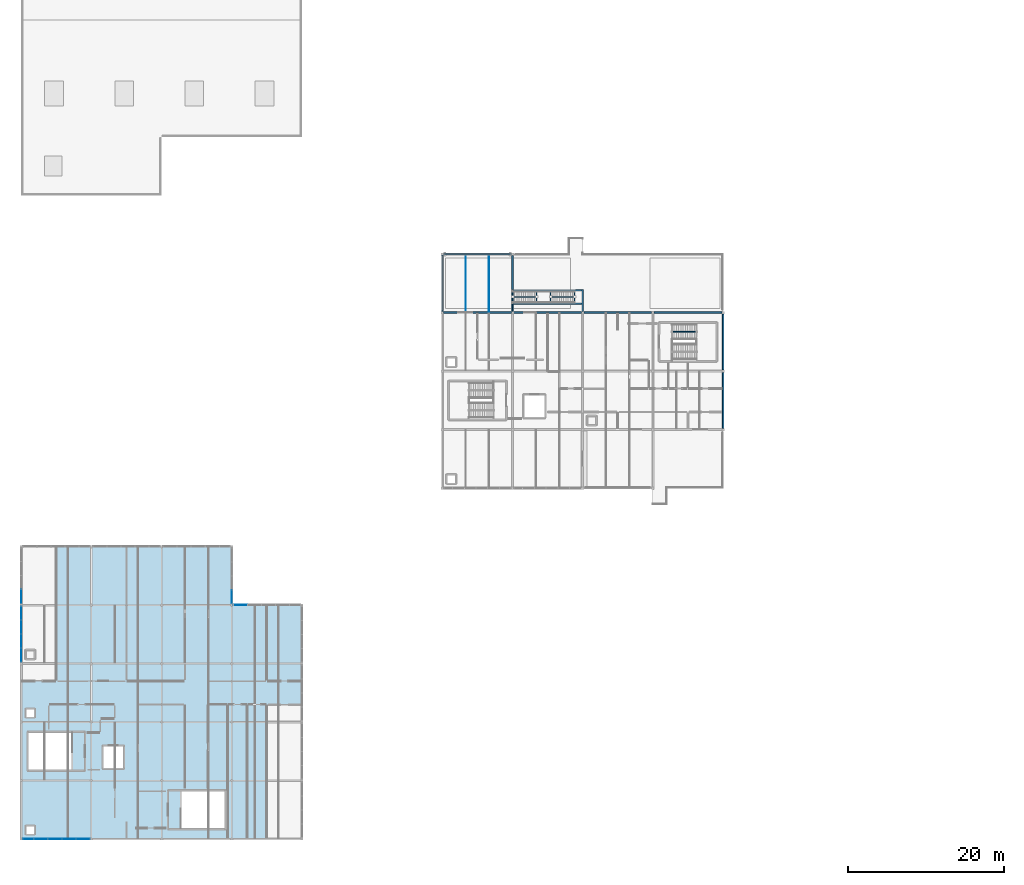
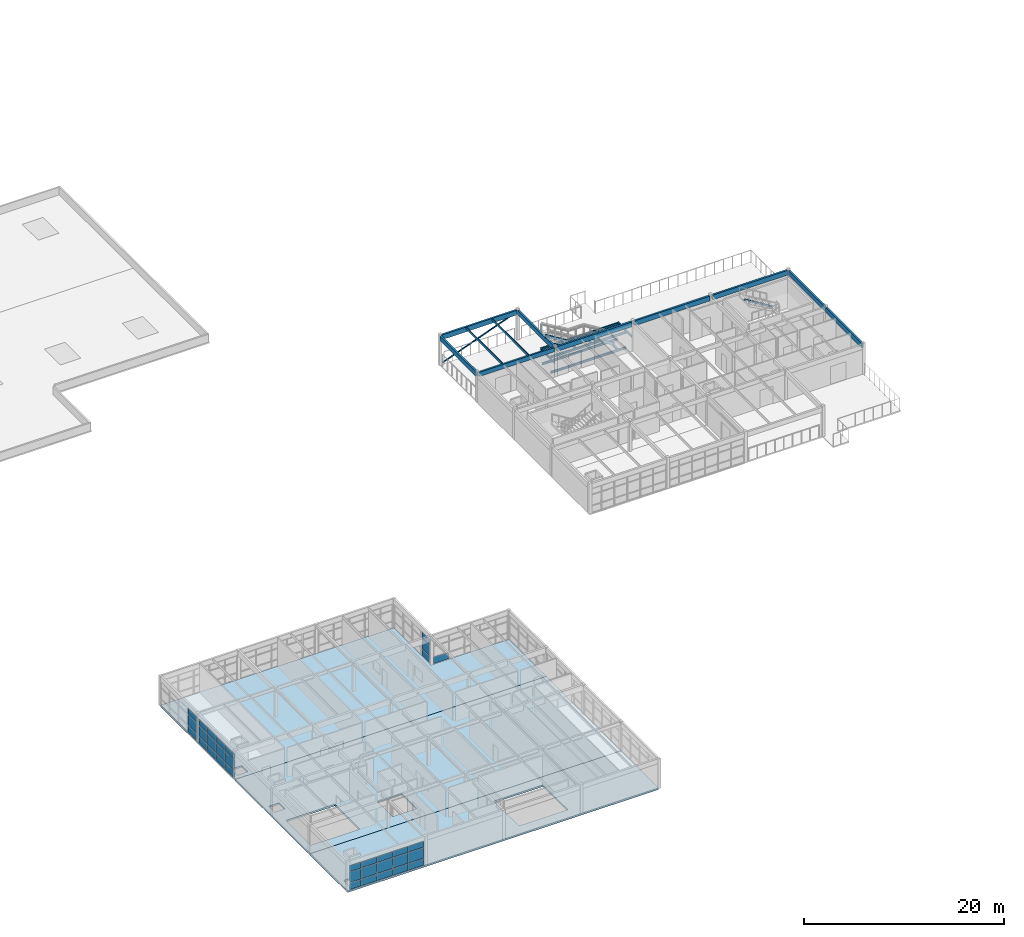
# One storey, part 11 of 24: 34 plates, 20 beams, 4 members, 3 slabs, 5 elements without a shape of their own.
"""IFC4 building model written with IfcOpenShell, lengths in metres."""

from ifc_helpers import new_model, si_unit, direction, frame, origin, origin_2d, place, context, subcontext, project, spatial, polyline, rectangle, hollow_rectangle, hollow_circle, i_section, outline, extrude, material, layer, layer_set, material_profile, profile_set, type_object, element, aggregate, save


model = new_model("IFC4")

# Units and contexts
model_context = context("Model", 3, precision=1e-05, world=origin(), true_north=direction((0.0, 1.0)))
body_context = subcontext(model_context, "Body", "Model", "MODEL_VIEW")
ifc_project = project(units=[si_unit("LENGTHUNIT", "METRE"), si_unit("AREAUNIT", "SQUARE_METRE"), si_unit("VOLUMEUNIT", "CUBIC_METRE"), si_unit("PLANEANGLEUNIT", "RADIAN"), si_unit("MASSUNIT", "GRAM", prefix="KILO")], contexts=[model_context])

# Site, building, storey
site_placement = place(None, origin())
site = spatial("IfcSite", under=ifc_project, at=site_placement, CompositionType="ELEMENT")
building_placement = place(site_placement, origin())
building = spatial("IfcBuilding", under=site, at=building_placement, Name="Marnridge Secondary College", CompositionType="ELEMENT")
storey_placement = place(building_placement, frame((0.0, 0.0, 16.10009765625)))
storey = spatial("IfcBuildingStorey", under=building, at=storey_placement, Name="L04", CompositionType="ELEMENT", Elevation=16.10009765625)

# Beams
ifc_material_1 = material(Name="Glulam timber GL18", Category="wood")
ifc_material_profile_1 = material_profile(ifc_material_1, rectangle(XDim=0.195068359375, YDim=0.52001953125, at=origin_2d()), Name="GL18 195x520")
ifc_profile_set_1 = profile_set([ifc_material_profile_1], Name="Glulam timber GL18")
beam_type_1 = type_object("IfcBeamType", Name="BM-GL520-INT", PredefinedType="BEAM", material=ifc_profile_set_1)
beam_1_placement = place(storey_placement, frame((54.151611328125, 67.5, 3.349853515625), z_axis=(1.0, 0.0, 0.0), x_axis=(0.0, 1.0, 0.0)))
element("IfcBeam", 1, at=beam_1_placement, inside=storey, type_object=beam_type_1, Name="Beam B-L04-1193", PredefinedType="BEAM", context=body_context, shape_type="SweptSolid", body=[
    extrude(rectangle(XDim=0.195068359375, YDim=0.52001953125, at=origin_2d()), origin(), (0.0, 0.0, 1.0), 8.69677734375),
])
ifc_material_2 = material(Name="Glulam timber GL18", Category="wood")
ifc_material_profile_2 = material_profile(ifc_material_2, rectangle(XDim=0.215087890625, YDim=0.5849609375, at=origin_2d()), Name="GL18 215x585")
ifc_profile_set_2 = profile_set([ifc_material_profile_2], Name="Glulam timber GL18")
beam_type_2 = type_object("IfcBeamType", Name="BM-GL585-EXT", PredefinedType="SPANDREL", material=ifc_profile_set_2)
for number, where, z_axis, x_axis, name in (
    (2, (63.151611328125, 67.5, 3.3173828125), (1.0, 0.0, 0.0), (0.0, 1.0, 0.0), "Beam BS-L04-1199"),
    (3, (72.151611328125, 67.5, 3.3173828125), (1.0, 0.0, 0.0), (0.0, 1.0, 0.0), "Beam BS-L04-1204"),
):
    element("IfcBeam", number, at=place(storey_placement, frame(where, z_axis=z_axis, x_axis=x_axis)), inside=storey, type_object=beam_type_2, Name=name, PredefinedType="SPANDREL", context=body_context, shape_type="SweptSolid", body=[
        extrude(rectangle(XDim=0.215087890625, YDim=0.5849609375, at=origin_2d()), origin(), (0.0, 0.0, 1.0), 8.69677734375),
    ])
beam_2_placement = place(storey_placement, frame((90.0, 52.651611328125, 3.3173828125), z_axis=(0.0, 1.0, 0.0), x_axis=(-1.0, 0.0, 0.0)))
element("IfcBeam", 4, at=beam_2_placement, inside=storey, type_object=beam_type_2, Name="Beam BS-L04-1208", PredefinedType="SPANDREL", context=body_context, shape_type="SweptSolid", body=[
    extrude(rectangle(XDim=0.215087890625, YDim=0.5849609375, at=origin_2d()), origin(), (0.0, 0.0, 1.0), 7.19677734375),
])
beam_3_placement = place(storey_placement, frame((81.151611328125, 67.5, 3.3173828125), z_axis=(1.0, 0.0, 0.0), x_axis=(0.0, 1.0, 0.0)))
element("IfcBeam", 5, at=beam_3_placement, inside=storey, type_object=beam_type_2, Name="Beam BS-L04-1209", PredefinedType="SPANDREL", context=body_context, shape_type="SweptSolid", body=[
    extrude(rectangle(XDim=0.215087890625, YDim=0.5849609375, at=origin_2d()), origin(), (0.0, 0.0, 1.0), 8.69677734375),
])
beam_4_placement = place(storey_placement, frame((90.0, 60.151611328125, 3.3173828125), z_axis=(0.0, 1.0, 0.0), x_axis=(-1.0, 0.0, 0.0)))
element("IfcBeam", 6, at=beam_4_placement, inside=storey, type_object=beam_type_2, Name="Beam BS-L04-1210", PredefinedType="SPANDREL", context=body_context, shape_type="SweptSolid", body=[
    extrude(rectangle(XDim=0.215087890625, YDim=0.5849609375, at=origin_2d()), origin(), (0.0, 0.0, 1.0), 7.19677734375),
])
beam_5_placement = place(storey_placement, frame((54.151611328125, 75.0, 3.347412109375), z_axis=(1.0, 0.0, 0.0), x_axis=(0.0, 1.0, 0.0)))
element("IfcBeam", 7, at=beam_5_placement, inside=storey, type_object=beam_type_2, Name="Beam BS-L04-1218", PredefinedType="SPANDREL", context=body_context, shape_type="SweptSolid", body=[
    extrude(rectangle(XDim=0.215087890625, YDim=0.5849609375, at=origin_2d()), origin(), (0.0, 0.0, 1.0), 8.69677734375),
])
for number, where, z_axis, x_axis, name in (
    (8, (54.0, 67.651611328125, 3.347412109375), (0.0, 1.0, 0.0), (-1.0, 0.0, 0.0), "Beam BS-L04-1219"),
    (9, (63.0, 67.651611328125, 3.347412109375), (0.0, 1.0, 0.0), (-1.0, 0.0, 0.0), "Beam BS-L04-1220"),
):
    element("IfcBeam", number, at=place(storey_placement, frame(where, z_axis=z_axis, x_axis=x_axis)), inside=storey, type_object=beam_type_2, Name=name, PredefinedType="SPANDREL", context=body_context, shape_type="SweptSolid", body=[
        extrude(rectangle(XDim=0.215087890625, YDim=0.5849609375, at=origin_2d()), origin(), (0.0, 0.0, 1.0), 7.19677734375),
    ])
ifc_material_3 = material(Name="Engineered timber LVL E13.2", Category="wood")
ifc_material_profile_3 = material_profile(ifc_material_3, rectangle(XDim=0.06298828125, YDim=0.300048828125, at=origin_2d()), Name="LVL 63x300")
ifc_profile_set_3 = profile_set([ifc_material_profile_3], Name="Engineered timber LVL E13.2")
beam_type_3 = type_object("IfcBeamType", Name="BM-LVL300-INT", PredefinedType="JOIST", material=ifc_profile_set_3)
for number, where, z_axis, x_axis, name in (
    (10, (57.0, 67.591552734375, 3.489990234375), (0.0, 1.0, 0.0), (-1.0, 0.0, 0.0), "Beam BJ-L04-1238"),
    (11, (60.0, 67.591552734375, 3.489990234375), (0.0, 1.0, 0.0), (-1.0, 0.0, 0.0), "Beam BJ-L04-1239"),
):
    element("IfcBeam", number, at=place(storey_placement, frame(where, z_axis=z_axis, x_axis=x_axis)), inside=storey, type_object=beam_type_3, Name=name, PredefinedType="JOIST", context=body_context, shape_type="SweptSolid", body=[
        extrude(rectangle(XDim=0.06298828125, YDim=0.300048828125, at=origin_2d()), origin(), (0.0, 0.0, 1.0), 7.306884765625),
    ])
ifc_material_4 = material(Name="Structural steel Grade 350 (AS/NZS 3679.1/.2, fy = 340-360 MPa)", Category="steel")
ifc_material_profile_4 = material_profile(ifc_material_4, i_section(OverallWidth=0.146240234375, OverallDepth=0.256103515625, WebThickness=0.00634765625, FlangeThickness=0.010986328125, FilletRadius=0.0087890625, at=origin_2d()), Name="250UB37.3")
ifc_profile_set_4 = profile_set([ifc_material_profile_4], Name="Structural steel Grade 350 (AS/NZS 3679.1/.2, fy = 340-360 MPa)")
beam_type_4 = type_object("IfcBeamType", Name="BM-UB250-EXT", PredefinedType="LINTEL", material=ifc_profile_set_4)
for number, where, z_axis, x_axis, name in (
    (12, (63.0, 67.656982421875, 1.591796875), (0.0, 1.0, 0.0), (-1.0, 0.0, 0.0), "Exterior stair outrigger bracket BZ-L04-093"),
    (13, (72.0, 67.656982421875, 1.591796875), (0.0, 1.0, 0.0), (-1.0, 0.0, 0.0), "Exterior stair outrigger bracket BZ-L04-094"),
):
    element("IfcBeam", number, at=place(storey_placement, frame(where, z_axis=z_axis, x_axis=x_axis)), inside=storey, type_object=beam_type_4, Name=name, PredefinedType="LINTEL", context=body_context, shape_type="SweptSolid", body=[
        extrude(i_section(OverallWidth=0.146240234375, OverallDepth=0.256103515625, WebThickness=0.00634765625, FlangeThickness=0.010986328125, FilletRadius=0.0087890625, at=origin_2d()), origin(), (0.0, 0.0, 1.0), 2.79296875),
    ])
for number, where, z_axis, x_axis, name in (
    (14, (63.072509765625, 68.639892578125, 1.591796875), (1.0, 0.0, 0.0), (0.0, 1.0, 0.0), "Exterior stair landing beam BZ-L04-095"),
    (15, (63.072509765625, 70.360107421875, 1.591796875), (1.0, 0.0, 0.0), (0.0, 1.0, 0.0), "Exterior stair landing beam BZ-L04-096"),
):
    element("IfcBeam", number, at=place(storey_placement, frame(where, z_axis=z_axis, x_axis=x_axis)), inside=storey, type_object=beam_type_4, Name=name, PredefinedType="LINTEL", context=body_context, shape_type="SweptSolid", body=[
        extrude(i_section(OverallWidth=0.146240234375, OverallDepth=0.256103515625, WebThickness=0.00634765625, FlangeThickness=0.010986328125, FilletRadius=0.0087890625, at=origin_2d()), origin(), (0.0, 0.0, 1.0), 8.85498046875),
    ])
for number, where, z_axis, x_axis, name in (
    (16, (67.8798828125, 68.71240234375, 1.591796875), (0.0, 1.0, 0.0), (-1.0, 0.0, 0.0), "Exterior stair flight end trimmer BZ-L04-097"),
    (17, (66.080078125, 68.71240234375, 1.591796875), (0.0, 1.0, 0.0), (-1.0, 0.0, 0.0), "Exterior stair flight end trimmer BZ-L04-098"),
):
    element("IfcBeam", number, at=place(storey_placement, frame(where, z_axis=z_axis, x_axis=x_axis)), inside=storey, type_object=beam_type_4, Name=name, PredefinedType="LINTEL", context=body_context, shape_type="SweptSolid", body=[
        extrude(i_section(OverallWidth=0.146240234375, OverallDepth=0.256103515625, WebThickness=0.00634765625, FlangeThickness=0.010986328125, FilletRadius=0.0087890625, at=origin_2d()), origin(), (0.0, 0.0, 1.0), 1.5751953125),
    ])
for number, where, z_axis, x_axis, name in (
    (18, (63.119384765625, 68.639892578125, -0.2880859375), (1.0, 0.0, 0.0), (0.0, 1.0, 0.0), "Exterior stair landing beam BZ-L04-099"),
    (19, (63.119384765625, 70.360107421875, -0.2880859375), (1.0, 0.0, 0.0), (0.0, 1.0, 0.0), "Exterior stair landing beam BZ-L04-100"),
):
    element("IfcBeam", number, at=place(storey_placement, frame(where, z_axis=z_axis, x_axis=x_axis)), inside=storey, type_object=beam_type_4, Name=name, PredefinedType="LINTEL", context=body_context, shape_type="SweptSolid", body=[
        extrude(i_section(OverallWidth=0.146240234375, OverallDepth=0.256103515625, WebThickness=0.00634765625, FlangeThickness=0.010986328125, FilletRadius=0.0087890625, at=origin_2d()), origin(), (0.0, 0.0, 1.0), 8.76123046875),
    ])
beam_6_placement = place(storey_placement, frame((70.9599609375, 68.71240234375, -0.2880859375), z_axis=(0.0, 1.0, 0.0), x_axis=(-1.0, 0.0, 0.0)))
element("IfcBeam", 20, at=beam_6_placement, inside=storey, type_object=beam_type_4, Name="Exterior stair flight end trimmer BZ-L04-101", PredefinedType="LINTEL", context=body_context, shape_type="SweptSolid", body=[
    extrude(i_section(OverallWidth=0.146240234375, OverallDepth=0.256103515625, WebThickness=0.00634765625, FlangeThickness=0.010986328125, FilletRadius=0.0087890625, at=origin_2d()), origin(), (0.0, 0.0, 1.0), 1.5751953125),
])

# Members
ifc_material_5 = material(Name="Cold-formed steel Grade C350L0 (AS/NZS 1163, fy = 350 MPa)", Category="steel")
ifc_material_profile_5 = material_profile(ifc_material_5, hollow_circle(Radius=0.084228515625, WallThickness=0.00634765625, at=origin_2d()), Name="168.3x6.4CHS")
ifc_profile_set_5 = profile_set([ifc_material_profile_5], Name="Cold-formed steel Grade C350L0 (AS/NZS 1163, fy = 350 MPa)")
member_type_1 = type_object("IfcMemberType", Name="MB-BR-CHS168", PredefinedType="BRACE", material=ifc_profile_set_5)
member_1_placement = place(storey_placement, frame((54.280029296875, 75.0, 0.159912109375), z_axis=(0.936697873516, 0.0, 0.350138677884), x_axis=(0.0, 1.0, 0.0)))
element("IfcMember", 21, at=member_1_placement, inside=storey, type_object=member_type_1, Name="Lateral brace BR-010", PredefinedType="BRACE", context=body_context, shape_type="SweptSolid", body=[
    extrude(hollow_circle(Radius=0.084228515625, WallThickness=0.00634765625, at=origin_2d()), origin(), (0.0, 0.0, 1.0), 8.967529296875),
])
ifc_material_6 = material(Name="Cold-formed steel Grade C350L0 (AS/NZS 1163, fy = 350 MPa)", Category="steel")
ifc_material_profile_6 = material_profile(ifc_material_6, hollow_rectangle(XDim=0.10009765625, YDim=0.199951171875, WallThickness=0.006103515625, at=origin_2d()), Name="200x100x6.0RHS")
ifc_profile_set_6 = profile_set([ifc_material_profile_6], Name="Cold-formed steel Grade C350L0 (AS/NZS 1163, fy = 350 MPa)")
member_type_2 = type_object("IfcMemberType", Name="MB-STR-RHS200", PredefinedType="STRINGER", material=ifc_profile_set_6)
member_2_placement = place(storey_placement, frame((86.5849609375, 65.030029296875, 1.7919921875), z_axis=(-0.853999434635, 0.0, 0.520273933272), x_axis=(0.0, -1.0, 0.0)))
element("IfcMember", 22, at=member_2_placement, inside=storey, type_object=member_type_2, Name="Stair stringer STR-020", PredefinedType="STRINGER", context=body_context, shape_type="SweptSolid", body=[
    extrude(hollow_rectangle(XDim=0.10009765625, YDim=0.199951171875, WallThickness=0.006103515625, at=origin_2d()), origin(), (0.0, 0.0, 1.0), 3.6708984375),
])
ifc_material_7 = material(Name="Cold-formed steel Grade C350L0 (AS/NZS 1163, fy = 350 MPa)", Category="steel")
ifc_material_profile_7 = material_profile(ifc_material_7, hollow_rectangle(XDim=0.14990234375, YDim=0.300048828125, WallThickness=0.008056640625, at=origin_2d()), Name="300x150x8.0RHS")
ifc_profile_set_7 = profile_set([ifc_material_profile_7], Name="Cold-formed steel Grade C350L0 (AS/NZS 1163, fy = 350 MPa)")
member_type_3 = type_object("IfcMemberType", Name="MB-STR-RHS300", PredefinedType="STRINGER", material=ifc_profile_set_7)
member_3_placement = place(storey_placement, frame((70.9599609375, 69.5, -0.0400390625), z_axis=(-0.853576048954, 0.0, 0.520968260696), x_axis=(0.0, -1.0, 0.0)))
element("IfcMember", 23, at=member_3_placement, inside=storey, type_object=member_type_3, Name="Exterior stair stringer STR-067", PredefinedType="STRINGER", context=body_context, shape_type="SweptSolid", body=[
    extrude(hollow_rectangle(XDim=0.14990234375, YDim=0.300048828125, WallThickness=0.008056640625, at=origin_2d()), origin(), (0.0, 0.0, 1.0), 3.6083984375),
])
member_4_placement = place(storey_placement, frame((66.080078125, 69.5, 1.83984375), z_axis=(-0.848602372252, 0.0, 0.529031203057), x_axis=(0.0, -1.0, 0.0)))
element("IfcMember", 24, at=member_4_placement, inside=storey, type_object=member_type_3, Name="Exterior stair stringer STR-068", PredefinedType="STRINGER", context=body_context, shape_type="SweptSolid", body=[
    extrude(hollow_rectangle(XDim=0.14990234375, YDim=0.300048828125, WallThickness=0.008056640625, at=origin_2d()), origin(), (0.0, 0.0, 1.0), 3.629638671875),
])

# Curtain wall, plates
ifc_material_8 = material(Name="Bronze-anodised aluminium and solar-control glazing", Category="aluminium")
ifc_layer_1 = layer(ifc_material_8, 0.199951171875)
ifc_layer_set_1 = layer_set([ifc_layer_1], Name="CW-MOD-1800")
curtain_wall_type = type_object("IfcCurtainWallType", Name="CW-MOD-1800", PredefinedType="NOTDEFINED", material=ifc_layer_set_1)
curtain_wall_1_placement = place(storey_placement, origin())
curtain_wall_1 = element("IfcCurtainWall", 25, at=curtain_wall_1_placement, inside=storey, type_object=curtain_wall_type, Name="Unitised curtain wall CW-L04-143", PredefinedType="NOTDEFINED")
ifc_material_9 = material(Name="Acoustic laminated solar-control double glazing", Category="glass")
ifc_layer_2 = layer(ifc_material_9, 0.035888671875)
ifc_layer_set_2 = layer_set([ifc_layer_2], Name="CWP-GLZ36")
plate_type = type_object("IfcPlateType", Name="CWP-GLZ36", PredefinedType="CURTAIN_PANEL", material=ifc_layer_set_2)
plate_1_placement = place(storey_placement, frame((27.0, 31.050048828125, 0.06494140625), z_axis=(0.0, 0.0, 1.0), x_axis=(0.0, -1.0, 0.0)))
plate_1 = element("IfcPlate", 26, at=plate_1_placement, type_object=plate_type, Name="CW-L04-143 panel 4.1", PredefinedType="CURTAIN_PANEL", context=body_context, shape_type="SweptSolid", body=[
    extrude(rectangle(XDim=1.636962890625, YDim=0.035888671875, at=origin_2d()), origin(), (0.0, 0.0, 1.0), 0.802490234375),
])
plate_2_placement = place(storey_placement, frame((27.0, 31.050048828125, 0.9326171875), z_axis=(0.0, 0.0, 1.0), x_axis=(0.0, -1.0, 0.0)))
plate_2 = element("IfcPlate", 27, at=plate_2_placement, type_object=plate_type, Name="CW-L04-143 panel 4.2", PredefinedType="CURTAIN_PANEL", context=body_context, shape_type="SweptSolid", body=[
    extrude(rectangle(XDim=1.636962890625, YDim=0.035888671875, at=origin_2d()), origin(), (0.0, 0.0, 1.0), 1.284912109375),
])
plate_3_placement = place(storey_placement, frame((27.0, 31.050048828125, 2.282470703125), z_axis=(0.0, 0.0, 1.0), x_axis=(0.0, -1.0, 0.0)))
plate_3 = element("IfcPlate", 28, at=plate_3_placement, type_object=plate_type, Name="CW-L04-143 panel 4.3", PredefinedType="CURTAIN_PANEL", context=body_context, shape_type="SweptSolid", body=[
    extrude(rectangle(XDim=1.636962890625, YDim=0.035888671875, at=origin_2d()), origin(), (0.0, 0.0, 1.0), 0.70947265625),
])
aggregate(curtain_wall_1, [plate_1, plate_2, plate_3])

# Curtain wall, plate
curtain_wall_2_placement = place(storey_placement, origin())
curtain_wall_2 = element("IfcCurtainWall", 29, at=curtain_wall_2_placement, inside=storey, type_object=curtain_wall_type, Name="Unitised curtain wall CW-L04-144", PredefinedType="NOTDEFINED")
plate_4_placement = place(storey_placement, frame((28.096435546875, 30.0, 0.06494140625), z_axis=(0.0, 0.0, 1.0), x_axis=(1.0, 0.0, 0.0)))
plate_4 = element("IfcPlate", 30, at=plate_4_placement, type_object=plate_type, Name="CW-L04-144 panel 1.1", PredefinedType="CURTAIN_PANEL", context=body_context, shape_type="SweptSolid", body=[
    extrude(rectangle(XDim=1.72998046875, YDim=0.035888671875, at=origin_2d()), origin(), (0.0, 0.0, 1.0), 0.802490234375),
])
aggregate(curtain_wall_2, [plate_4])

# Curtain wall, plates
curtain_wall_3_placement = place(storey_placement, origin())
curtain_wall_3 = element("IfcCurtainWall", 31, at=curtain_wall_3_placement, inside=storey, type_object=curtain_wall_type, Name="Unitised curtain wall CW-L04-149", PredefinedType="NOTDEFINED")
plate_5_placement = place(storey_placement, frame((7.903564453125, 0.0, 0.06494140625), z_axis=(0.0, 0.0, 1.0), x_axis=(-1.0, 0.0, 0.0)))
plate_5 = element("IfcPlate", 32, at=plate_5_placement, type_object=plate_type, Name="CW-L04-149 panel 1.1", PredefinedType="CURTAIN_PANEL", context=body_context, shape_type="SweptSolid", body=[
    extrude(rectangle(XDim=1.72998046875, YDim=0.035888671875, at=origin_2d()), origin(), (0.0, 0.0, 1.0), 0.802490234375),
])
plate_6_placement = place(storey_placement, frame((7.903564453125, 0.0, 0.9326171875), z_axis=(0.0, 0.0, 1.0), x_axis=(-1.0, 0.0, 0.0)))
plate_6 = element("IfcPlate", 33, at=plate_6_placement, type_object=plate_type, Name="CW-L04-149 panel 1.2", PredefinedType="CURTAIN_PANEL", context=body_context, shape_type="SweptSolid", body=[
    extrude(rectangle(XDim=1.72998046875, YDim=0.035888671875, at=origin_2d()), origin(), (0.0, 0.0, 1.0), 1.284912109375),
])
plate_7_placement = place(storey_placement, frame((7.903564453125, 0.0, 2.282470703125), z_axis=(0.0, 0.0, 1.0), x_axis=(-1.0, 0.0, 0.0)))
plate_7 = element("IfcPlate", 34, at=plate_7_placement, type_object=plate_type, Name="CW-L04-149 panel 1.3", PredefinedType="CURTAIN_PANEL", context=body_context, shape_type="SweptSolid", body=[
    extrude(rectangle(XDim=1.72998046875, YDim=0.035888671875, at=origin_2d()), origin(), (0.0, 0.0, 1.0), 0.70947265625),
])
plate_8_placement = place(storey_placement, frame((6.103515625, 0.0, 0.06494140625), z_axis=(0.0, 0.0, 1.0), x_axis=(-1.0, 0.0, 0.0)))
plate_8 = element("IfcPlate", 35, at=plate_8_placement, type_object=plate_type, Name="CW-L04-149 panel 2.1", PredefinedType="CURTAIN_PANEL", context=body_context, shape_type="SweptSolid", body=[
    extrude(rectangle(XDim=1.72998046875, YDim=0.035888671875, at=origin_2d()), origin(), (0.0, 0.0, 1.0), 0.802490234375),
])
plate_9_placement = place(storey_placement, frame((6.103515625, 0.0, 0.9326171875), z_axis=(0.0, 0.0, 1.0), x_axis=(-1.0, 0.0, 0.0)))
plate_9 = element("IfcPlate", 36, at=plate_9_placement, type_object=plate_type, Name="CW-L04-149 panel 2.2", PredefinedType="CURTAIN_PANEL", context=body_context, shape_type="SweptSolid", body=[
    extrude(rectangle(XDim=1.72998046875, YDim=0.035888671875, at=origin_2d()), origin(), (0.0, 0.0, 1.0), 1.284912109375),
])
plate_10_placement = place(storey_placement, frame((6.103515625, 0.0, 2.282470703125), z_axis=(0.0, 0.0, 1.0), x_axis=(-1.0, 0.0, 0.0)))
plate_10 = element("IfcPlate", 37, at=plate_10_placement, type_object=plate_type, Name="CW-L04-149 panel 2.3", PredefinedType="CURTAIN_PANEL", context=body_context, shape_type="SweptSolid", body=[
    extrude(rectangle(XDim=1.72998046875, YDim=0.035888671875, at=origin_2d()), origin(), (0.0, 0.0, 1.0), 0.70947265625),
])
plate_11_placement = place(storey_placement, frame((4.303466796875, 0.0, 0.06494140625), z_axis=(0.0, 0.0, 1.0), x_axis=(-1.0, 0.0, 0.0)))
plate_11 = element("IfcPlate", 38, at=plate_11_placement, type_object=plate_type, Name="CW-L04-149 panel 3.1", PredefinedType="CURTAIN_PANEL", context=body_context, shape_type="SweptSolid", body=[
    extrude(rectangle(XDim=1.72998046875, YDim=0.035888671875, at=origin_2d()), origin(), (0.0, 0.0, 1.0), 0.802490234375),
])
plate_12_placement = place(storey_placement, frame((4.303466796875, 0.0, 0.9326171875), z_axis=(0.0, 0.0, 1.0), x_axis=(-1.0, 0.0, 0.0)))
plate_12 = element("IfcPlate", 39, at=plate_12_placement, type_object=plate_type, Name="CW-L04-149 panel 3.2", PredefinedType="CURTAIN_PANEL", context=body_context, shape_type="SweptSolid", body=[
    extrude(rectangle(XDim=1.72998046875, YDim=0.035888671875, at=origin_2d()), origin(), (0.0, 0.0, 1.0), 1.284912109375),
])
plate_13_placement = place(storey_placement, frame((4.303466796875, 0.0, 2.282470703125), z_axis=(0.0, 0.0, 1.0), x_axis=(-1.0, 0.0, 0.0)))
plate_13 = element("IfcPlate", 40, at=plate_13_placement, type_object=plate_type, Name="CW-L04-149 panel 3.3", PredefinedType="CURTAIN_PANEL", context=body_context, shape_type="SweptSolid", body=[
    extrude(rectangle(XDim=1.72998046875, YDim=0.035888671875, at=origin_2d()), origin(), (0.0, 0.0, 1.0), 0.70947265625),
])
plate_14_placement = place(storey_placement, frame((2.50341796875, 0.0, 0.06494140625), z_axis=(0.0, 0.0, 1.0), x_axis=(-1.0, 0.0, 0.0)))
plate_14 = element("IfcPlate", 41, at=plate_14_placement, type_object=plate_type, Name="CW-L04-149 panel 4.1", PredefinedType="CURTAIN_PANEL", context=body_context, shape_type="SweptSolid", body=[
    extrude(rectangle(XDim=1.72998046875, YDim=0.035888671875, at=origin_2d()), origin(), (0.0, 0.0, 1.0), 0.802490234375),
])
plate_15_placement = place(storey_placement, frame((2.50341796875, 0.0, 0.9326171875), z_axis=(0.0, 0.0, 1.0), x_axis=(-1.0, 0.0, 0.0)))
plate_15 = element("IfcPlate", 42, at=plate_15_placement, type_object=plate_type, Name="CW-L04-149 panel 4.2", PredefinedType="CURTAIN_PANEL", context=body_context, shape_type="SweptSolid", body=[
    extrude(rectangle(XDim=1.72998046875, YDim=0.035888671875, at=origin_2d()), origin(), (0.0, 0.0, 1.0), 1.284912109375),
])
plate_16_placement = place(storey_placement, frame((2.50341796875, 0.0, 2.282470703125), z_axis=(0.0, 0.0, 1.0), x_axis=(-1.0, 0.0, 0.0)))
plate_16 = element("IfcPlate", 43, at=plate_16_placement, type_object=plate_type, Name="CW-L04-149 panel 4.3", PredefinedType="CURTAIN_PANEL", context=body_context, shape_type="SweptSolid", body=[
    extrude(rectangle(XDim=1.72998046875, YDim=0.035888671875, at=origin_2d()), origin(), (0.0, 0.0, 1.0), 0.70947265625),
])
plate_17_placement = place(storey_placement, frame((0.89990234375, 0.0, 0.06494140625), z_axis=(0.0, 0.0, 1.0), x_axis=(-1.0, 0.0, 0.0)))
plate_17 = element("IfcPlate", 44, at=plate_17_placement, type_object=plate_type, Name="CW-L04-149 panel 5.1", PredefinedType="CURTAIN_PANEL", context=body_context, shape_type="SweptSolid", body=[
    extrude(rectangle(XDim=1.3369140625, YDim=0.035888671875, at=origin_2d()), origin(), (0.0, 0.0, 1.0), 0.802490234375),
])
plate_18_placement = place(storey_placement, frame((0.89990234375, 0.0, 0.9326171875), z_axis=(0.0, 0.0, 1.0), x_axis=(-1.0, 0.0, 0.0)))
plate_18 = element("IfcPlate", 45, at=plate_18_placement, type_object=plate_type, Name="CW-L04-149 panel 5.2", PredefinedType="CURTAIN_PANEL", context=body_context, shape_type="SweptSolid", body=[
    extrude(rectangle(XDim=1.3369140625, YDim=0.035888671875, at=origin_2d()), origin(), (0.0, 0.0, 1.0), 1.284912109375),
])
plate_19_placement = place(storey_placement, frame((0.89990234375, 0.0, 2.282470703125), z_axis=(0.0, 0.0, 1.0), x_axis=(-1.0, 0.0, 0.0)))
plate_19 = element("IfcPlate", 46, at=plate_19_placement, type_object=plate_type, Name="CW-L04-149 panel 5.3", PredefinedType="CURTAIN_PANEL", context=body_context, shape_type="SweptSolid", body=[
    extrude(rectangle(XDim=1.3369140625, YDim=0.035888671875, at=origin_2d()), origin(), (0.0, 0.0, 1.0), 0.70947265625),
])
aggregate(curtain_wall_3, [plate_5, plate_6, plate_7, plate_8, plate_9, plate_10, plate_11, plate_12, plate_13, plate_14, plate_15, plate_16, plate_17, plate_18, plate_19])

curtain_wall_4_placement = place(storey_placement, origin())
curtain_wall_4 = element("IfcCurtainWall", 47, at=curtain_wall_4_placement, inside=storey, type_object=curtain_wall_type, Name="Unitised curtain wall CW-L04-150", PredefinedType="NOTDEFINED")
plate_20_placement = place(storey_placement, frame((0.0, 23.596435546875, 0.06494140625), z_axis=(0.0, 0.0, 1.0), x_axis=(0.0, 1.0, 0.0)))
plate_20 = element("IfcPlate", 48, at=plate_20_placement, type_object=plate_type, Name="CW-L04-150 panel 1.1", PredefinedType="CURTAIN_PANEL", context=body_context, shape_type="SweptSolid", body=[
    extrude(rectangle(XDim=1.72998046875, YDim=0.035888671875, at=origin_2d()), origin(), (0.0, 0.0, 1.0), 0.802490234375),
])
plate_21_placement = place(storey_placement, frame((0.0, 23.596435546875, 0.9326171875), z_axis=(0.0, 0.0, 1.0), x_axis=(0.0, 1.0, 0.0)))
plate_21 = element("IfcPlate", 49, at=plate_21_placement, type_object=plate_type, Name="CW-L04-150 panel 1.2", PredefinedType="CURTAIN_PANEL", context=body_context, shape_type="SweptSolid", body=[
    extrude(rectangle(XDim=1.72998046875, YDim=0.035888671875, at=origin_2d()), origin(), (0.0, 0.0, 1.0), 1.284912109375),
])
plate_22_placement = place(storey_placement, frame((0.0, 23.596435546875, 2.282470703125), z_axis=(0.0, 0.0, 1.0), x_axis=(0.0, 1.0, 0.0)))
plate_22 = element("IfcPlate", 50, at=plate_22_placement, type_object=plate_type, Name="CW-L04-150 panel 1.3", PredefinedType="CURTAIN_PANEL", context=body_context, shape_type="SweptSolid", body=[
    extrude(rectangle(XDim=1.72998046875, YDim=0.035888671875, at=origin_2d()), origin(), (0.0, 0.0, 1.0), 0.70947265625),
])
plate_23_placement = place(storey_placement, frame((0.0, 25.396484375, 0.06494140625), z_axis=(0.0, 0.0, 1.0), x_axis=(0.0, 1.0, 0.0)))
plate_23 = element("IfcPlate", 51, at=plate_23_placement, type_object=plate_type, Name="CW-L04-150 panel 2.1", PredefinedType="CURTAIN_PANEL", context=body_context, shape_type="SweptSolid", body=[
    extrude(rectangle(XDim=1.72998046875, YDim=0.035888671875, at=origin_2d()), origin(), (0.0, 0.0, 1.0), 0.802490234375),
])
plate_24_placement = place(storey_placement, frame((0.0, 25.396484375, 0.9326171875), z_axis=(0.0, 0.0, 1.0), x_axis=(0.0, 1.0, 0.0)))
plate_24 = element("IfcPlate", 52, at=plate_24_placement, type_object=plate_type, Name="CW-L04-150 panel 2.2", PredefinedType="CURTAIN_PANEL", context=body_context, shape_type="SweptSolid", body=[
    extrude(rectangle(XDim=1.72998046875, YDim=0.035888671875, at=origin_2d()), origin(), (0.0, 0.0, 1.0), 1.284912109375),
])
plate_25_placement = place(storey_placement, frame((0.0, 25.396484375, 2.282470703125), z_axis=(0.0, 0.0, 1.0), x_axis=(0.0, 1.0, 0.0)))
plate_25 = element("IfcPlate", 53, at=plate_25_placement, type_object=plate_type, Name="CW-L04-150 panel 2.3", PredefinedType="CURTAIN_PANEL", context=body_context, shape_type="SweptSolid", body=[
    extrude(rectangle(XDim=1.72998046875, YDim=0.035888671875, at=origin_2d()), origin(), (0.0, 0.0, 1.0), 0.70947265625),
])
plate_26_placement = place(storey_placement, frame((0.0, 27.196533203125, 0.06494140625), z_axis=(0.0, 0.0, 1.0), x_axis=(0.0, 1.0, 0.0)))
plate_26 = element("IfcPlate", 54, at=plate_26_placement, type_object=plate_type, Name="CW-L04-150 panel 3.1", PredefinedType="CURTAIN_PANEL", context=body_context, shape_type="SweptSolid", body=[
    extrude(rectangle(XDim=1.72998046875, YDim=0.035888671875, at=origin_2d()), origin(), (0.0, 0.0, 1.0), 0.802490234375),
])
plate_27_placement = place(storey_placement, frame((0.0, 27.196533203125, 0.9326171875), z_axis=(0.0, 0.0, 1.0), x_axis=(0.0, 1.0, 0.0)))
plate_27 = element("IfcPlate", 55, at=plate_27_placement, type_object=plate_type, Name="CW-L04-150 panel 3.2", PredefinedType="CURTAIN_PANEL", context=body_context, shape_type="SweptSolid", body=[
    extrude(rectangle(XDim=1.72998046875, YDim=0.035888671875, at=origin_2d()), origin(), (0.0, 0.0, 1.0), 1.284912109375),
])
plate_28_placement = place(storey_placement, frame((0.0, 27.196533203125, 2.282470703125), z_axis=(0.0, 0.0, 1.0), x_axis=(0.0, 1.0, 0.0)))
plate_28 = element("IfcPlate", 56, at=plate_28_placement, type_object=plate_type, Name="CW-L04-150 panel 3.3", PredefinedType="CURTAIN_PANEL", context=body_context, shape_type="SweptSolid", body=[
    extrude(rectangle(XDim=1.72998046875, YDim=0.035888671875, at=origin_2d()), origin(), (0.0, 0.0, 1.0), 0.70947265625),
])
plate_29_placement = place(storey_placement, frame((0.0, 28.949951171875, 0.06494140625), z_axis=(0.0, 0.0, 1.0), x_axis=(0.0, 1.0, 0.0)))
plate_29 = element("IfcPlate", 57, at=plate_29_placement, type_object=plate_type, Name="CW-L04-150 panel 4.1", PredefinedType="CURTAIN_PANEL", context=body_context, shape_type="SweptSolid", body=[
    extrude(rectangle(XDim=1.636962890625, YDim=0.035888671875, at=origin_2d()), origin(), (0.0, 0.0, 1.0), 0.802490234375),
])
plate_30_placement = place(storey_placement, frame((0.0, 28.949951171875, 0.9326171875), z_axis=(0.0, 0.0, 1.0), x_axis=(0.0, 1.0, 0.0)))
plate_30 = element("IfcPlate", 58, at=plate_30_placement, type_object=plate_type, Name="CW-L04-150 panel 4.2", PredefinedType="CURTAIN_PANEL", context=body_context, shape_type="SweptSolid", body=[
    extrude(rectangle(XDim=1.636962890625, YDim=0.035888671875, at=origin_2d()), origin(), (0.0, 0.0, 1.0), 1.284912109375),
])
plate_31_placement = place(storey_placement, frame((0.0, 28.949951171875, 2.282470703125), z_axis=(0.0, 0.0, 1.0), x_axis=(0.0, 1.0, 0.0)))
plate_31 = element("IfcPlate", 59, at=plate_31_placement, type_object=plate_type, Name="CW-L04-150 panel 4.3", PredefinedType="CURTAIN_PANEL", context=body_context, shape_type="SweptSolid", body=[
    extrude(rectangle(XDim=1.636962890625, YDim=0.035888671875, at=origin_2d()), origin(), (0.0, 0.0, 1.0), 0.70947265625),
])
aggregate(curtain_wall_4, [plate_20, plate_21, plate_22, plate_23, plate_24, plate_25, plate_26, plate_27, plate_28, plate_29, plate_30, plate_31])

curtain_wall_5_placement = place(storey_placement, origin())
curtain_wall_5 = element("IfcCurtainWall", 60, at=curtain_wall_5_placement, inside=storey, type_object=curtain_wall_type, Name="Unitised curtain wall CW-L04-151", PredefinedType="NOTDEFINED")
plate_32_placement = place(storey_placement, frame((0.0, 31.096435546875, 0.06494140625), z_axis=(0.0, 0.0, 1.0), x_axis=(0.0, 1.0, 0.0)))
plate_32 = element("IfcPlate", 61, at=plate_32_placement, type_object=plate_type, Name="CW-L04-151 panel 1.1", PredefinedType="CURTAIN_PANEL", context=body_context, shape_type="SweptSolid", body=[
    extrude(rectangle(XDim=1.72998046875, YDim=0.035888671875, at=origin_2d()), origin(), (0.0, 0.0, 1.0), 0.802490234375),
])
plate_33_placement = place(storey_placement, frame((0.0, 31.096435546875, 0.9326171875), z_axis=(0.0, 0.0, 1.0), x_axis=(0.0, 1.0, 0.0)))
plate_33 = element("IfcPlate", 62, at=plate_33_placement, type_object=plate_type, Name="CW-L04-151 panel 1.2", PredefinedType="CURTAIN_PANEL", context=body_context, shape_type="SweptSolid", body=[
    extrude(rectangle(XDim=1.72998046875, YDim=0.035888671875, at=origin_2d()), origin(), (0.0, 0.0, 1.0), 1.284912109375),
])
plate_34_placement = place(storey_placement, frame((0.0, 31.096435546875, 2.282470703125), z_axis=(0.0, 0.0, 1.0), x_axis=(0.0, 1.0, 0.0)))
plate_34 = element("IfcPlate", 63, at=plate_34_placement, type_object=plate_type, Name="CW-L04-151 panel 1.3", PredefinedType="CURTAIN_PANEL", context=body_context, shape_type="SweptSolid", body=[
    extrude(rectangle(XDim=1.72998046875, YDim=0.035888671875, at=origin_2d()), origin(), (0.0, 0.0, 1.0), 0.70947265625),
])
aggregate(curtain_wall_5, [plate_32, plate_33, plate_34])

# Slabs
ifc_material_10 = material(Name="Cross-laminated timber CL5", Category="wood")
ifc_layer_3 = layer(ifc_material_10, 0.2099609375)
ifc_layer_set_3 = layer_set([ifc_layer_3], Name="SL-CLT-210")
slab_type = type_object("IfcSlabType", Name="SL-CLT-210", PredefinedType="FLOOR", material=ifc_layer_set_3)
slab_1_placement = place(storey_placement, frame((0.0, 0.0, -0.210205078125)))
element("IfcSlab", 64, at=slab_1_placement, inside=storey, type_object=slab_type, Name="Floor slab SL-L04-049", PredefinedType="FLOOR", context=body_context, shape_type="SweptSolid", body=[
    extrude(outline(polyline([(0.0, 7.5), (36.0, 7.5), (36.0, 0.0), (0.0, 0.0), (0.0, 7.5)]), holes=[polyline([(20.550048828125, 1.25), (26.199951171875, 1.25), (26.199951171875, 6.25), (20.550048828125, 6.25), (20.550048828125, 1.25)]), polyline([(0.550048828125, 0.550048828125), (1.75, 0.550048828125), (1.75, 1.75), (0.550048828125, 1.75), (0.550048828125, 0.550048828125)])]), origin(), (0.0, 0.0, 1.0), 0.210205078125),
])
slab_2_placement = place(storey_placement, frame((0.0, 0.0, -0.210205078125)))
element("IfcSlab", 65, at=slab_2_placement, inside=storey, type_object=slab_type, Name="Floor slab SL-L04-050", PredefinedType="FLOOR", context=body_context, shape_type="SweptSolid", body=[
    extrude(outline(polyline([(36.0, 7.5), (0.0, 7.5), (0.0, 22.5), (36.0, 22.5), (36.0, 7.5)]), holes=[polyline([(0.800048828125, 8.75), (6.449951171875, 8.75), (6.449951171875, 13.75), (0.800048828125, 13.75), (0.800048828125, 8.75)]), polyline([(10.39990234375, 9.0), (13.199951171875, 9.0), (13.199951171875, 12.0), (10.39990234375, 12.0), (10.39990234375, 9.0)]), polyline([(0.550048828125, 15.550048828125), (1.75, 15.550048828125), (1.75, 16.75), (0.550048828125, 16.75), (0.550048828125, 15.550048828125)])]), origin(), (0.0, 0.0, 1.0), 0.210205078125),
])
slab_3_placement = place(storey_placement, frame((0.0, 0.0, -0.210205078125)))
element("IfcSlab", 66, at=slab_3_placement, inside=storey, type_object=slab_type, Name="Floor slab SL-L04-051", PredefinedType="FLOOR", context=body_context, shape_type="SweptSolid", body=[
    extrude(outline(polyline([(0.0, 37.5), (27.0, 37.5), (27.0, 30.0), (36.0, 30.0), (36.0, 22.5), (0.0, 22.5), (0.0, 37.5)]), holes=[polyline([(0.550048828125, 23.050048828125), (1.75, 23.050048828125), (1.75, 24.25), (0.550048828125, 24.25), (0.550048828125, 23.050048828125)])]), origin(), (0.0, 0.0, 1.0), 0.210205078125),
])

save(model, "model.ifc")
